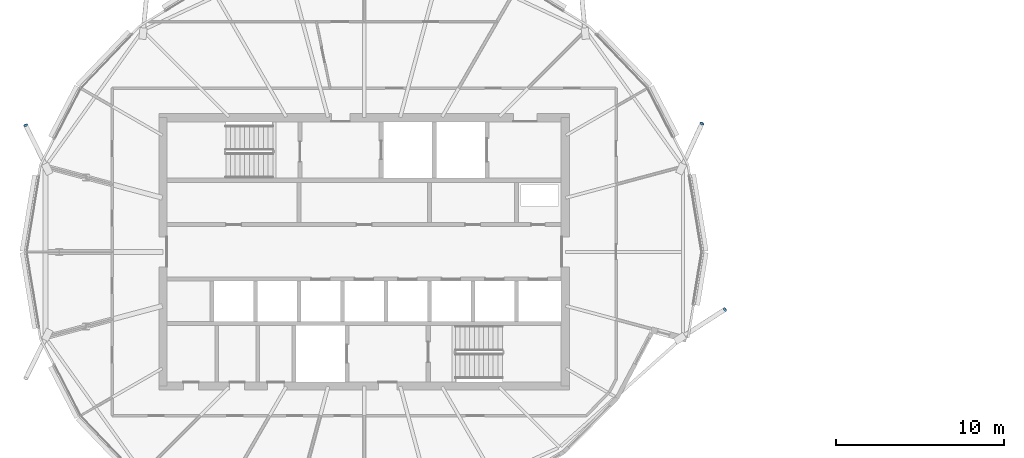
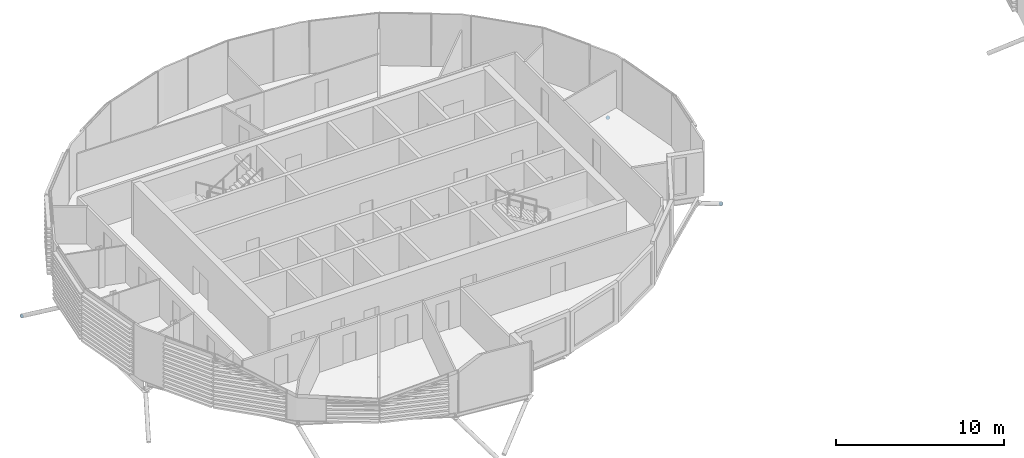
# One storey, part 24 of 34: 3 discrete accessories.
"""IFC4 building model written with IfcOpenShell, lengths in metres."""

from ifc_helpers import new_model, si_unit, direction, frame, origin, origin_2d, place, context, subcontext, project, spatial, circle, extrude, material, material_profile, profile_set, type_object, element, save


model = new_model("IFC4")

# Units and contexts
model_context = context("Model", 3, precision=1e-05, world=origin(), true_north=direction((0.0, 1.0)))
body_context = subcontext(model_context, "Body", "Model", "MODEL_VIEW")
ifc_project = project(units=[si_unit("LENGTHUNIT", "METRE"), si_unit("AREAUNIT", "SQUARE_METRE"), si_unit("VOLUMEUNIT", "CUBIC_METRE"), si_unit("PLANEANGLEUNIT", "RADIAN"), si_unit("MASSUNIT", "GRAM", prefix="KILO")], contexts=[model_context])

# Site, building, storey
site_placement = place(None, origin())
site = spatial("IfcSite", under=ifc_project, at=site_placement, CompositionType="ELEMENT")
building_placement = place(site_placement, origin())
building = spatial("IfcBuilding", under=site, at=building_placement, Name="Rimbun Link Towers", CompositionType="ELEMENT")
storey_placement = place(building_placement, frame((0.0, 0.0, 252.300048828125)))
storey = spatial("IfcBuildingStorey", under=building, at=storey_placement, Name="L62", CompositionType="ELEMENT", Elevation=252.300048828125)

# Discrete accessories
ifc_material = material(Name="Steel S355J2H", Category="steel")
ifc_material_profile = material_profile(ifc_material, circle(Radius=0.1240234375, at=origin_2d()), Name="PL D248")
ifc_profile_set = profile_set([ifc_material_profile], Name="Steel S355J2H")
discrete_accessory_type = type_object("IfcDiscreteAccessoryType", Name="Link foot sealing plate D248X20", PredefinedType="BRACKET", material=ifc_profile_set)
discrete_accessory_1_placement = place(storey_placement, frame((-11.614501953125, 7.636474609375, -2.55859375), z_axis=(0.351650800577, 0.751805159854, -0.557790925053), x_axis=(-0.905809543169, 0.423685108901, 0.0)))
element("IfcDiscreteAccessory", 1, at=discrete_accessory_1_placement, inside=storey, type_object=discrete_accessory_type, Name="Link foot sealing plate T1 L62 01", PredefinedType="BRACKET", context=body_context, shape_type="SweptSolid", body=[
    extrude(circle(Radius=0.1240234375, at=origin_2d()), origin(), (0.0, 0.0, 1.0), 0.02001953125),
])
discrete_accessory_2_placement = place(storey_placement, frame((-51.931884765625, 7.545166015625, -2.792236328125), z_axis=(-0.36947045622, 0.763572276187, -0.529574320581), x_axis=(-0.900159251416, -0.435560928104, 0.0)))
element("IfcDiscreteAccessory", 2, at=discrete_accessory_2_placement, inside=storey, type_object=discrete_accessory_type, Name="Link foot sealing plate T1 L62 11", PredefinedType="BRACKET", context=body_context, shape_type="SweptSolid", body=[
    extrude(circle(Radius=0.1240234375, at=origin_2d()), origin(), (0.0, 0.0, 1.0), 0.019775390625),
])
discrete_accessory_3_placement = place(storey_placement, frame((-10.237548828125, -3.4404296875, -2.5751953125), z_axis=(0.706267485008, 0.462726972936, -0.535789126558), x_axis=(-0.548026257311, 0.83646112958, 0.0)))
element("IfcDiscreteAccessory", 3, at=discrete_accessory_3_placement, inside=storey, type_object=discrete_accessory_type, Name="Link foot sealing plate T1 L62 23", PredefinedType="BRACKET", context=body_context, shape_type="SweptSolid", body=[
    extrude(circle(Radius=0.1240234375, at=origin_2d()), origin(), (0.0, 0.0, 1.0), 0.02001953125),
])

save(model, "model.ifc")
